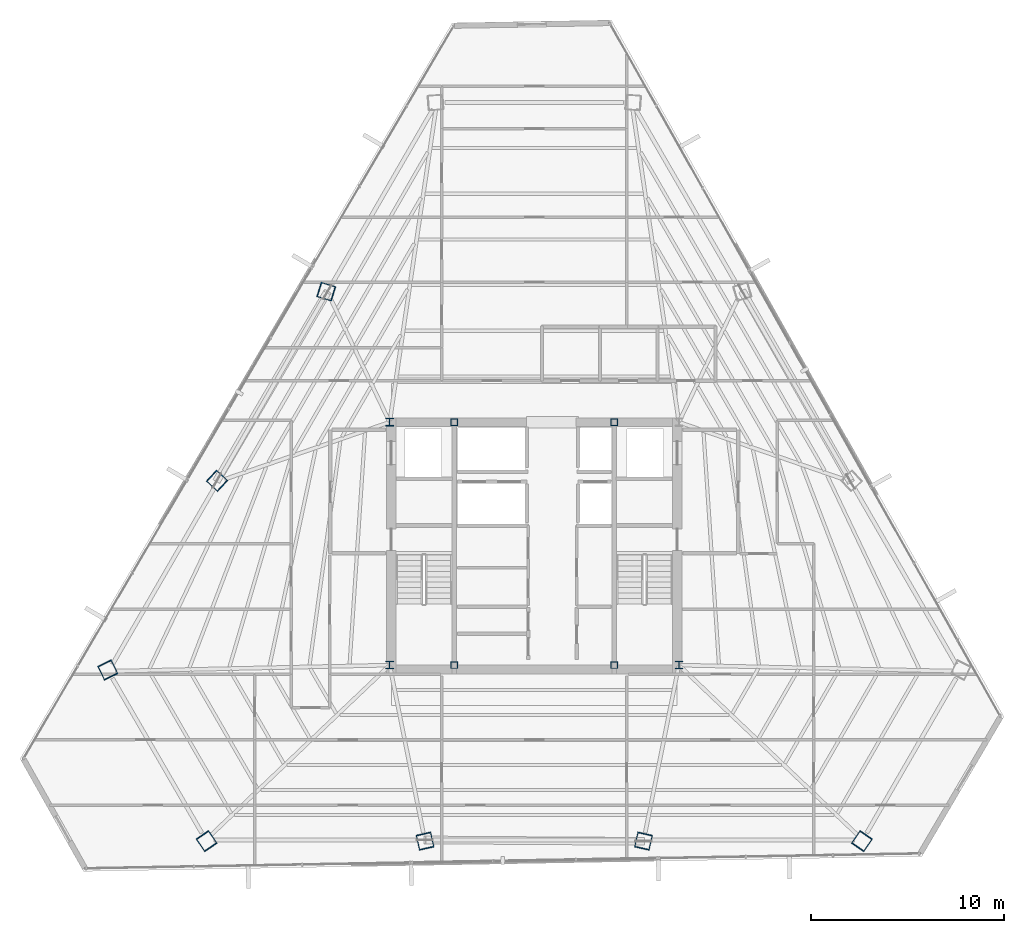
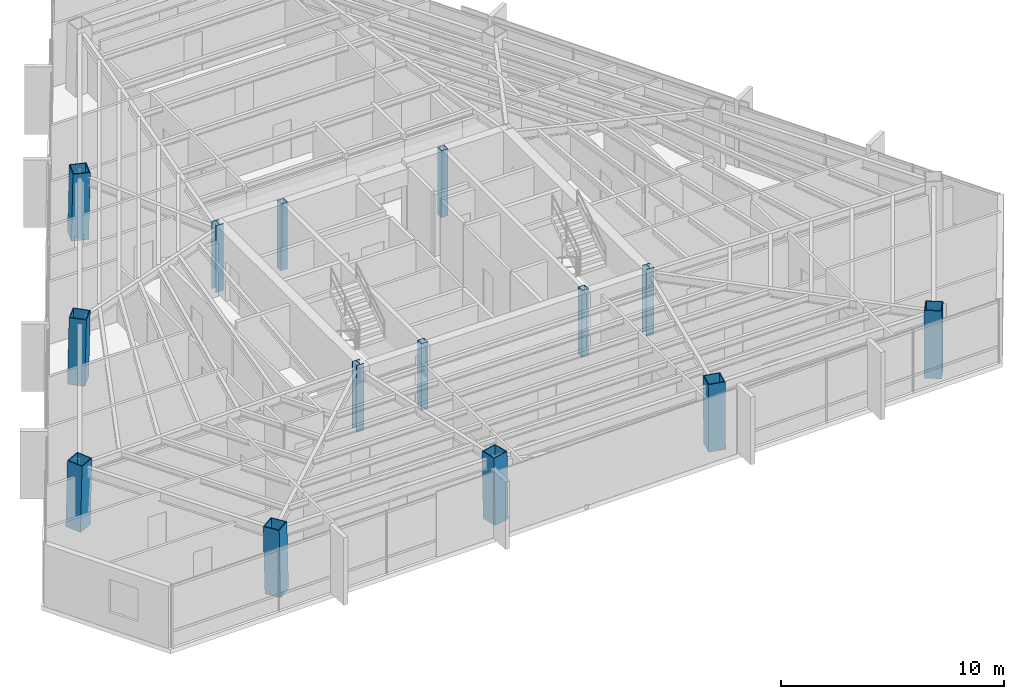
# One storey, part 1 of 42: 14 columns.
"""IFC4 building model written with IfcOpenShell, lengths in metres."""

from ifc_helpers import new_model, si_unit, direction, frame, origin, origin_2d, place, context, subcontext, project, spatial, hollow_rectangle, i_section, extrude, source, transform, mapped, material, material_profile, profile_set, type_object, type_shapes, element, save


model = new_model("IFC4")

# Units and contexts
model_context = context("Model", 3, precision=1e-05, world=origin(), true_north=direction((0.0, 1.0)))
body_context = subcontext(model_context, "Body", "Model", "MODEL_VIEW")
ifc_project = project(units=[si_unit("LENGTHUNIT", "METRE"), si_unit("AREAUNIT", "SQUARE_METRE"), si_unit("VOLUMEUNIT", "CUBIC_METRE"), si_unit("PLANEANGLEUNIT", "RADIAN"), si_unit("MASSUNIT", "GRAM", prefix="KILO")], contexts=[model_context])

# Site, building, storey
site_placement = place(None, origin())
site = spatial("IfcSite", under=ifc_project, at=site_placement, CompositionType="ELEMENT")
building_placement = place(site_placement, origin())
building = spatial("IfcBuilding", under=site, at=building_placement, Name="Caelisora Broadcast Tower", CompositionType="ELEMENT")
storey_placement = place(building_placement, frame((0.0, 0.0, 202.300048828125)))
storey = spatial("IfcBuildingStorey", under=building, at=storey_placement, Name="L53", CompositionType="ELEMENT", Elevation=202.300048828125)

# Columns
ifc_material_1 = material(Name="Steel Grade 350 (AS/NZS 3679.2)", Category="steel")
ifc_material_profile_1 = material_profile(ifc_material_1, i_section(OverallWidth=0.39990234375, OverallDepth=0.39990234375, WebThickness=0.02001953125, FlangeThickness=0.031982421875, at=origin_2d()), Name="Steel Grade 350 (AS/NZS 3679.2)")
ifc_profile_set_1 = profile_set([ifc_material_profile_1], Name="Steel Grade 350 (AS/NZS 3679.2)")
column_type_1 = type_object("IfcColumnType", Name="CC02", PredefinedType="COLUMN", material=ifc_profile_set_1)
shared_shape_1 = source(origin(), body_context, "Body", "SweptSolid", [
    extrude(i_section(OverallWidth=0.39990234375, OverallDepth=0.39990234375, WebThickness=0.02001953125, FlangeThickness=0.031982421875, at=origin_2d()), origin(), (0.0, 0.0, 1.0), 3.64990234375),
])
type_shapes(column_type_1, [shared_shape_1])
for number, where, z_axis, x_axis, name in (
    (1, (30.5, 17.39990234375, 0.0), (0.0, 0.0, 1.0), (1.0, 0.0, 0.0), "L53 column CC02"),
    (2, (45.5, 17.39990234375, 0.0), (0.0, 0.0, 1.0), (1.0, 0.0, 0.0), "L53 column CC02"),
    (3, (30.5, 30.0, 0.0), (0.0, 0.0, 1.0), (1.0, 0.0, 0.0), "L53 column CC02"),
):
    element("IfcColumn", number, at=place(storey_placement, frame(where, z_axis=z_axis, x_axis=x_axis)), inside=storey, type_object=column_type_1, Name=name, PredefinedType="COLUMN", context=body_context, shape_type="MappedRepresentation", body=[
        mapped(shared_shape_1, transform((0.0, 0.0, 0.0), scale=1.0)),
    ])
ifc_material_2 = material(Name="Steel Grade 350 (AS/NZS 1163 C350L0)", Category="steel")
ifc_material_profile_2 = material_profile(ifc_material_2, hollow_rectangle(XDim=0.35009765625, YDim=0.35009765625, WallThickness=0.01611328125, at=origin_2d()), Name="Steel Grade 350 (AS/NZS 1163 C350L0)")
ifc_profile_set_2 = profile_set([ifc_material_profile_2], Name="Steel Grade 350 (AS/NZS 1163 C350L0)")
column_type_2 = type_object("IfcColumnType", Name="CC07", PredefinedType="COLUMN", material=ifc_profile_set_2)
shared_shape_2 = source(origin(), body_context, "Body", "SweptSolid", [
    extrude(hollow_rectangle(XDim=0.35009765625, YDim=0.35009765625, WallThickness=0.01611328125, at=origin_2d()), origin(), (0.0, 0.0, 1.0), 3.64990234375),
])
type_shapes(column_type_2, [shared_shape_2])
for number, where, z_axis, x_axis, name in (
    (4, (33.85009765625, 17.39990234375, 0.0), (0.0, 0.0, 1.0), (1.0, 0.0, 0.0), "L53 column CC07"),
    (5, (42.14990234375, 17.39990234375, 0.0), (0.0, 0.0, 1.0), (1.0, 0.0, 0.0), "L53 column CC07"),
    (6, (33.85009765625, 30.0, 0.0), (0.0, 0.0, 1.0), (1.0, 0.0, 0.0), "L53 column CC07"),
    (7, (42.14990234375, 30.0, 0.0), (0.0, 0.0, 1.0), (1.0, 0.0, 0.0), "L53 column CC07"),
):
    element("IfcColumn", number, at=place(storey_placement, frame(where, z_axis=z_axis, x_axis=x_axis)), inside=storey, type_object=column_type_2, Name=name, PredefinedType="COLUMN", context=body_context, shape_type="MappedRepresentation", body=[
        mapped(shared_shape_2, transform((0.0, 0.0, 0.0), scale=1.0)),
    ])
ifc_material_3 = material(Name="Steel Grade 350 L15 (AS/NZS 3678)", Category="steel")
ifc_material_profile_3 = material_profile(ifc_material_3, hollow_rectangle(XDim=0.800048828125, YDim=0.800048828125, WallThickness=0.044921875, at=origin_2d()), Name="Steel Grade 350 L15 (AS/NZS 3678)")
ifc_profile_set_3 = profile_set([ifc_material_profile_3], Name="Steel Grade 350 L15 (AS/NZS 3678)")
column_type_3 = type_object("IfcColumnType", Name="MC05", PredefinedType="COLUMN", material=ifc_profile_set_3)
shared_shape_3 = source(origin(), body_context, "Body", "SweptSolid", [
    extrude(hollow_rectangle(XDim=0.800048828125, YDim=0.800048828125, WallThickness=0.044921875, at=origin_2d()), origin(), (0.0, 0.0, 1.0), 3.65087890625),
])
for number, where, z_axis, x_axis, name in (
    (8, (15.87646484375, 17.16015625, 0.0), (0.010431795422, -0.021532295679, 0.999713727968), (0.899947055326, 0.435999194506, 0.0), "L53 column MC05"),
    (9, (21.014892578125, 8.26025390625, 0.0), (-0.013507825582, 0.019793645407, 0.999712833893), (-0.825991119814, -0.563683129062, 0.0), "L53 column MC05"),
    (10, (54.985107421875, 8.26025390625, 0.0), (0.013507825582, 0.019793645407, 0.999712833893), (-0.825991119814, 0.563683129062, 0.0), "L53 column MC05"),
):
    element("IfcColumn", number, at=place(storey_placement, frame(where, z_axis=z_axis, x_axis=x_axis)), inside=storey, type_object=column_type_3, Name=name, PredefinedType="COLUMN", context=body_context, shape_type="MappedRepresentation", body=[
        mapped(shared_shape_3, transform((0.0, 0.0, 0.0), scale=1.0)),
    ])
shared_shape_4 = source(origin(), body_context, "Body", "SweptSolid", [
    extrude(hollow_rectangle(XDim=0.800048828125, YDim=0.800048828125, WallThickness=0.044921875, at=origin_2d()), origin(), (0.0, 0.0, 1.0), 3.650634765625),
])
type_shapes(column_type_3, [shared_shape_3, shared_shape_4])
for number, where, z_axis, x_axis, name in (
    (11, (27.199951171875, 36.77294921875, 0.0), (0.019394001249, -0.005951952107, 0.999794202314), (0.293390827749, 0.9559925848, 0.0), "L53 column MC05"),
    (12, (21.5380859375, 26.966552734375, 0.0), (0.014913313399, -0.013776424037, 0.999793880369), (0.678553674548, 0.734550822447, 0.0), "L53 column MC05"),
    (13, (32.33837890625, 8.26025390625, 0.0), (-0.004480682206, 0.019795252729, 0.999794014513), (-0.975326687046, -0.220766513622, 0.0), "L53 column MC05"),
    (14, (43.66162109375, 8.26025390625, 0.0), (0.004480682206, 0.019795252729, 0.999794014513), (-0.975326687046, 0.220766513622, 0.0), "L53 column MC05"),
):
    element("IfcColumn", number, at=place(storey_placement, frame(where, z_axis=z_axis, x_axis=x_axis)), inside=storey, type_object=column_type_3, Name=name, PredefinedType="COLUMN", context=body_context, shape_type="MappedRepresentation", body=[
        mapped(shared_shape_4, transform((0.0, 0.0, 0.0), scale=1.0)),
    ])

save(model, "model.ifc")
